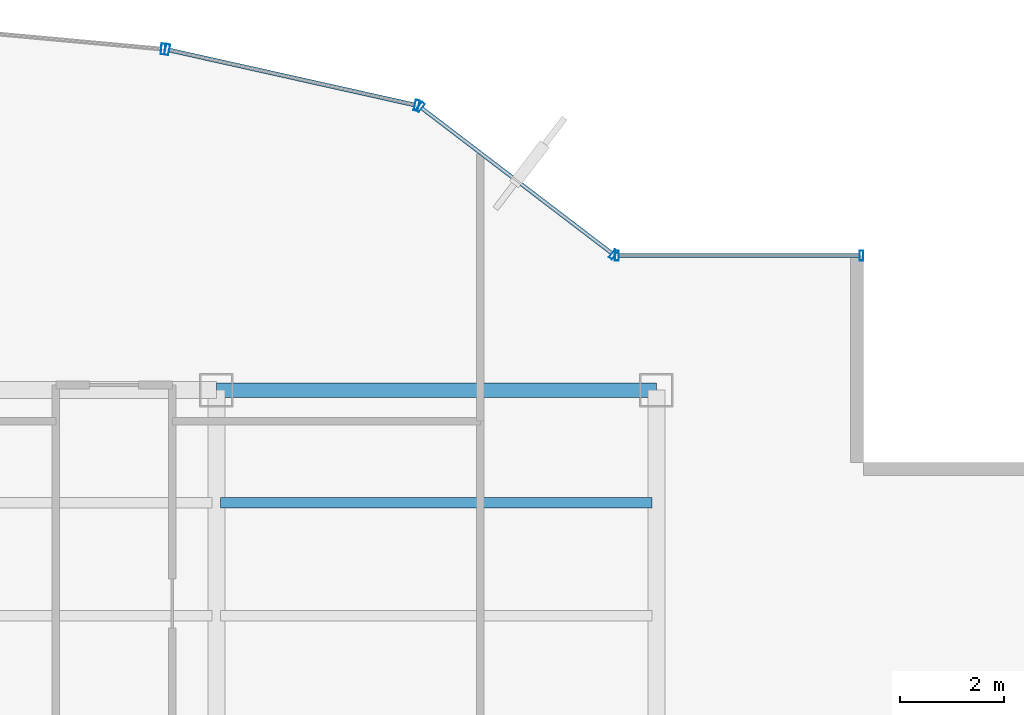
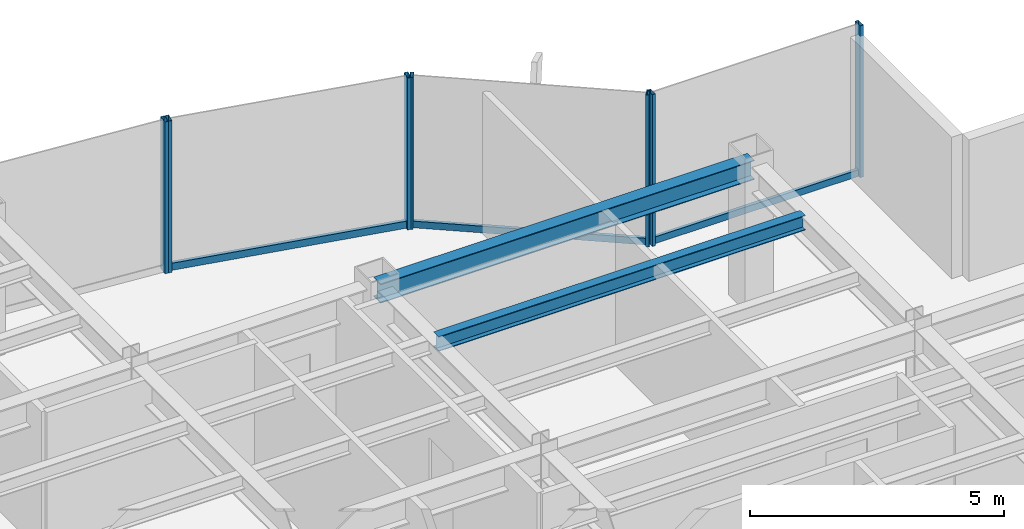
# One storey, part 17 of 25: 10 members, 2 beams, 4 elements without a shape of their own.
"""IFC4 building model written with IfcOpenShell, lengths in metres."""

from ifc_helpers import new_model, si_unit, derived_unit, direction, frame, origin, origin_2d, place, context, subcontext, project, spatial, hollow_rectangle, i_section, extrude, source, transform, mapped, material, material_profile, profile_set, type_object, element, aggregate, save


model = new_model("IFC4")

# Units and contexts
model_context = context("Model", 3, precision=1e-05, world=origin(), true_north=direction((0.0, 1.0)))
body_context = subcontext(model_context, "Body", "Model", "MODEL_VIEW")
ifc_project = project(units=[si_unit("LENGTHUNIT", "METRE"), si_unit("AREAUNIT", "SQUARE_METRE"), si_unit("VOLUMEUNIT", "CUBIC_METRE"), si_unit("PLANEANGLEUNIT", "RADIAN"), si_unit("MASSUNIT", "GRAM", prefix="KILO"), derived_unit("THERMALTRANSMITTANCEUNIT", [(si_unit("POWERUNIT", "WATT"), 1), (si_unit("LENGTHUNIT", "METRE"), -2), (si_unit("THERMODYNAMICTEMPERATUREUNIT", "KELVIN"), -1)])], contexts=[model_context])

# Site, building, storey
site_placement = place(None, origin())
site = spatial("IfcSite", under=ifc_project, at=site_placement, CompositionType="ELEMENT")
building_placement = place(site_placement, origin())
building = spatial("IfcBuilding", under=site, at=building_placement, Name="Skarnbrae Concourse Arena and Tower", CompositionType="ELEMENT")
storey_placement = place(building_placement, frame((0.0, 0.0, 151.550048828125)))
storey = spatial("IfcBuildingStorey", under=building, at=storey_placement, Name="L38", CompositionType="ELEMENT", Elevation=151.550048828125)

# Beams
ifc_material_1 = material(Name="Steel CSA G40.21 350W", Category="steel")
ifc_material_profile_1 = material_profile(ifc_material_1, i_section(OverallWidth=0.280029296875, OverallDepth=0.462890625, WebThickness=0.0107421875, FlangeThickness=0.017333984375, at=origin_2d()), Name="W460X113")
ifc_profile_set_1 = profile_set([ifc_material_profile_1], Name="Steel CSA G40.21 350W")
beam_type_1 = type_object("IfcBeamType", Name="BM-SPAN-W460X113", PredefinedType="SPANDREL", material=ifc_profile_set_1)
shared_shape_1 = source(origin(), body_context, "Body", "SweptSolid", [
    extrude(i_section(OverallWidth=0.280029296875, OverallDepth=0.462890625, WebThickness=0.0107421875, FlangeThickness=0.017333984375, at=origin_2d()), origin(), (0.0, 0.0, 1.0), 8.5),
])
beam_1_placement = place(storey_placement, frame((33.5, 34.39990234375, 3.16845703125), z_axis=(1.0, 0.0, 0.0), x_axis=(0.0, 1.0, 0.0)))
element("IfcBeam", 1, at=beam_1_placement, inside=storey, type_object=beam_type_1, Name="L38 Perimeter spandrel Y34.4-5", PredefinedType="SPANDREL", context=body_context, shape_type="MappedRepresentation", body=[
    mapped(shared_shape_1, transform((0.0, 0.0, 0.0))),
])
ifc_material_profile_2 = material_profile(ifc_material_1, i_section(OverallWidth=0.205078125, OverallDepth=0.35400390625, WebThickness=0.009521484375, FlangeThickness=0.016845703125, at=origin_2d()), Name="W360X79")
ifc_profile_set_2 = profile_set([ifc_material_profile_2], Name="Steel CSA G40.21 350W")
beam_type_2 = type_object("IfcBeamType", Name="BM-JOIST-W360X79", PredefinedType="JOIST", material=ifc_profile_set_2)
shared_shape_2 = source(origin(), body_context, "Body", "SweptSolid", [
    extrude(i_section(OverallWidth=0.205078125, OverallDepth=0.35400390625, WebThickness=0.009521484375, FlangeThickness=0.016845703125, at=origin_2d()), origin(), (0.0, 0.0, 1.0), 8.33984375),
])
beam_2_placement = place(storey_placement, frame((33.580078125, 32.221923828125, 3.222900390625), z_axis=(1.0, 0.0, 0.0), x_axis=(0.0, 1.0, 0.0)))
element("IfcBeam", 2, at=beam_2_placement, inside=storey, type_object=beam_type_2, Name="L38 Secondary floor joist 3.2.5", PredefinedType="JOIST", context=body_context, shape_type="MappedRepresentation", body=[
    mapped(shared_shape_2, transform((0.0, 0.0, 0.0))),
])

# Curtain wall, members
ifc_material_2 = material(Name="Bronze anodised aluminium 6063-T6", Category="aluminium")
curtain_wall_type_1 = type_object("IfcCurtainWallType", Name="CW-SYS-03-PORTAL", PredefinedType="USERDEFINED", material=ifc_material_2)
curtain_wall_1_placement = place(storey_placement, origin())
curtain_wall_1 = element("IfcCurtainWall", 3, at=curtain_wall_1_placement, inside=storey, type_object=curtain_wall_type_1, Name="L38 Unitised curtain wall CW-L38-E09", ObjectType="UNITISED CURTAIN WALL", PredefinedType="USERDEFINED")
ifc_material_profile_3 = material_profile(ifc_material_2, hollow_rectangle(XDim=0.080078125, YDim=0.2099609375, WallThickness=0.00439453125, at=origin_2d()), Name="ALU-MULL-80X210")
ifc_profile_set_3 = profile_set([ifc_material_profile_3], Name="Bronze anodised aluminium 6063-T6")
member_type_1 = type_object("IfcMemberType", Name="CWM-CW-03", PredefinedType="MULLION", material=ifc_profile_set_3)
shared_shape_3 = source(origin(), body_context, "Body", "SweptSolid", [
    extrude(hollow_rectangle(XDim=0.080078125, YDim=0.2099609375, WallThickness=0.00439453125, at=origin_2d()), origin(), (0.0, 0.0, 1.0), 3.64990234375),
])
member_1_placement = place(storey_placement, frame((37.37060546875, 39.9013671875, 0.0), z_axis=(0.0, 0.0, 1.0), x_axis=(-0.975936175393, 0.218056372433, 0.0)))
member_1 = element("IfcMember", 4, at=member_1_placement, type_object=member_type_1, Name="CW-L38-E09 Mullion 1", PredefinedType="MULLION", context=body_context, shape_type="MappedRepresentation", body=[
    mapped(shared_shape_3, transform((0.0, 0.0, 0.0))),
])
member_2_placement = place(storey_placement, frame((32.55126953125, 40.978271484375, 0.0), z_axis=(0.0, 0.0, 1.0), x_axis=(-0.975936175393, 0.218056372433, 0.0)))
member_2 = element("IfcMember", 5, at=member_2_placement, type_object=member_type_1, Name="CW-L38-E09 Mullion 2", PredefinedType="MULLION", context=body_context, shape_type="MappedRepresentation", body=[
    mapped(shared_shape_3, transform((0.0, 0.0, 0.0))),
])

# Curtain wall, member
curtain_wall_2_placement = place(storey_placement, origin())
curtain_wall_2 = element("IfcCurtainWall", 6, at=curtain_wall_2_placement, inside=storey, type_object=curtain_wall_type_1, Name="L38 Unitised curtain wall CW-L38-E10", ObjectType="UNITISED CURTAIN WALL", PredefinedType="USERDEFINED")
member_3_placement = place(storey_placement, frame((32.472412109375, 40.990478515625, 0.0), z_axis=(0.0, 0.0, 1.0), x_axis=(-0.995819926016, 0.091338244731, 0.0)))
member_3 = element("IfcMember", 7, at=member_3_placement, type_object=member_type_1, Name="CW-L38-E10 Mullion 1", PredefinedType="MULLION", context=body_context, shape_type="MappedRepresentation", body=[
    mapped(shared_shape_3, transform((0.0, 0.0, 0.0))),
])
aggregate(curtain_wall_2, [member_3])

# Curtain wall, members
curtain_wall_type_2 = type_object("IfcCurtainWallType", Name="CW-SYS-04-MIDZONE", PredefinedType="USERDEFINED", material=ifc_material_2)
curtain_wall_3_placement = place(storey_placement, origin())
curtain_wall_3 = element("IfcCurtainWall", 8, at=curtain_wall_3_placement, inside=storey, type_object=curtain_wall_type_2, Name="L38 Unitised curtain wall CW-L38-E07", ObjectType="UNITISED CURTAIN WALL", PredefinedType="USERDEFINED")
ifc_material_profile_4 = material_profile(ifc_material_2, hollow_rectangle(XDim=0.074951171875, YDim=0.195068359375, WallThickness=0.00439453125, at=origin_2d()), Name="ALU-MULL-75X195")
ifc_profile_set_4 = profile_set([ifc_material_profile_4], Name="Bronze anodised aluminium 6063-T6")
member_type_2 = type_object("IfcMemberType", Name="CWM-CW-04", PredefinedType="MULLION", material=ifc_profile_set_4)
shared_shape_4 = source(origin(), body_context, "Body", "SweptSolid", [
    extrude(hollow_rectangle(XDim=0.074951171875, YDim=0.195068359375, WallThickness=0.00439453125, at=origin_2d()), origin(), (0.0, 0.0, 1.0), 3.64990234375),
])
member_4_placement = place(storey_placement, frame((45.96240234375, 37.0, 0.0), z_axis=(0.0, 0.0, 1.0), x_axis=(-1.0, 0.0, 0.0)))
member_4 = element("IfcMember", 9, at=member_4_placement, type_object=member_type_2, Name="CW-L38-E07 Mullion 1", PredefinedType="MULLION", context=body_context, shape_type="MappedRepresentation", body=[
    mapped(shared_shape_4, transform((0.0, 0.0, 0.0))),
])
member_5_placement = place(storey_placement, frame((41.237548828125, 37.0, 0.0), z_axis=(0.0, 0.0, 1.0), x_axis=(-1.0, 0.0, 0.0)))
member_5 = element("IfcMember", 10, at=member_5_placement, type_object=member_type_2, Name="CW-L38-E07 Mullion 2", PredefinedType="MULLION", context=body_context, shape_type="MappedRepresentation", body=[
    mapped(shared_shape_4, transform((0.0, 0.0, 0.0))),
])

curtain_wall_4_placement = place(storey_placement, origin())
curtain_wall_4 = element("IfcCurtainWall", 11, at=curtain_wall_4_placement, inside=storey, type_object=curtain_wall_type_2, Name="L38 Unitised curtain wall CW-L38-E08", ObjectType="UNITISED CURTAIN WALL", PredefinedType="USERDEFINED")
member_6_placement = place(storey_placement, frame((41.170166015625, 37.022705078125, 0.0), z_axis=(0.0, 0.0, 1.0), x_axis=(-0.794956000706, 0.606667089054, 0.0)))
member_6 = element("IfcMember", 12, at=member_6_placement, type_object=member_type_2, Name="CW-L38-E08 Mullion 1", PredefinedType="MULLION", context=body_context, shape_type="MappedRepresentation", body=[
    mapped(shared_shape_4, transform((0.0, 0.0, 0.0))),
])
member_7_placement = place(storey_placement, frame((37.439208984375, 39.869873046875, 0.0), z_axis=(0.0, 0.0, 1.0), x_axis=(-0.794956000706, 0.606667089054, 0.0)))
member_7 = element("IfcMember", 13, at=member_7_placement, type_object=member_type_2, Name="CW-L38-E08 Mullion 2", PredefinedType="MULLION", context=body_context, shape_type="MappedRepresentation", body=[
    mapped(shared_shape_4, transform((0.0, 0.0, 0.0))),
])

# Member
ifc_material_profile_5 = material_profile(ifc_material_2, hollow_rectangle(XDim=0.074951171875, YDim=0.159912109375, WallThickness=0.00439453125, at=origin_2d()), Name="ALU-TRAN-75X160")
ifc_profile_set_5 = profile_set([ifc_material_profile_5], Name="Bronze anodised aluminium 6063-T6")
member_type_3 = type_object("IfcMemberType", Name="CWT-CW-04", PredefinedType="USERDEFINED", material=ifc_profile_set_5)
shared_shape_5 = source(origin(), body_context, "Body", "SweptSolid", [
    extrude(hollow_rectangle(XDim=0.074951171875, YDim=0.159912109375, WallThickness=0.00439453125, at=origin_2d()), origin(), (0.0, 0.0, 1.0), 4.650146484375),
])
member_8_placement = place(storey_placement, frame((45.925048828125, 37.0, 0.079833984375), z_axis=(-1.0, 0.0, 0.0), x_axis=(0.0, -1.0, 0.0)))
member_8 = element("IfcMember", 14, at=member_8_placement, type_object=member_type_3, Name="CW-L38-E07 Transom 1", ObjectType="TRANSOM", PredefinedType="USERDEFINED", context=body_context, shape_type="MappedRepresentation", body=[
    mapped(shared_shape_5, transform((0.0, 0.0, 0.0))),
])

aggregate(curtain_wall_3, [member_4, member_5, member_8])

shared_shape_6 = source(origin(), body_context, "Body", "SweptSolid", [
    extrude(hollow_rectangle(XDim=0.074951171875, YDim=0.159912109375, WallThickness=0.00439453125, at=origin_2d()), origin(), (0.0, 0.0, 1.0), 4.618408203125),
])
member_9_placement = place(storey_placement, frame((41.140380859375, 37.04541015625, 0.079833984375), z_axis=(-0.794960638756, 0.606661011462, 0.0), x_axis=(-0.606661011462, -0.794960638756, 0.0)))
member_9 = element("IfcMember", 15, at=member_9_placement, type_object=member_type_3, Name="CW-L38-E08 Transom 1", ObjectType="TRANSOM", PredefinedType="USERDEFINED", context=body_context, shape_type="MappedRepresentation", body=[
    mapped(shared_shape_6, transform((0.0, 0.0, 0.0))),
])

aggregate(curtain_wall_4, [member_6, member_7, member_9])

ifc_material_profile_6 = material_profile(ifc_material_2, hollow_rectangle(XDim=0.080078125, YDim=0.169921875, WallThickness=0.00439453125, at=origin_2d()), Name="ALU-TRAN-80X170")
ifc_profile_set_6 = profile_set([ifc_material_profile_6], Name="Bronze anodised aluminium 6063-T6")
member_type_4 = type_object("IfcMemberType", Name="CWT-CW-03", PredefinedType="USERDEFINED", material=ifc_profile_set_6)
shared_shape_7 = source(origin(), body_context, "Body", "SweptSolid", [
    extrude(hollow_rectangle(XDim=0.080078125, YDim=0.169921875, WallThickness=0.00439453125, at=origin_2d()), origin(), (0.0, 0.0, 1.0), 4.85791015625),
])
member_10_placement = place(storey_placement, frame((37.331298828125, 39.91015625, 0.0849609375), z_axis=(-0.975934527506, 0.21806374761, 0.0), x_axis=(-0.21806374761, -0.975934527506, 0.0)))
member_10 = element("IfcMember", 16, at=member_10_placement, type_object=member_type_4, Name="CW-L38-E09 Transom 1", ObjectType="TRANSOM", PredefinedType="USERDEFINED", context=body_context, shape_type="MappedRepresentation", body=[
    mapped(shared_shape_7, transform((0.0, 0.0, 0.0))),
])

aggregate(curtain_wall_1, [member_1, member_2, member_10])

save(model, "model.ifc")
